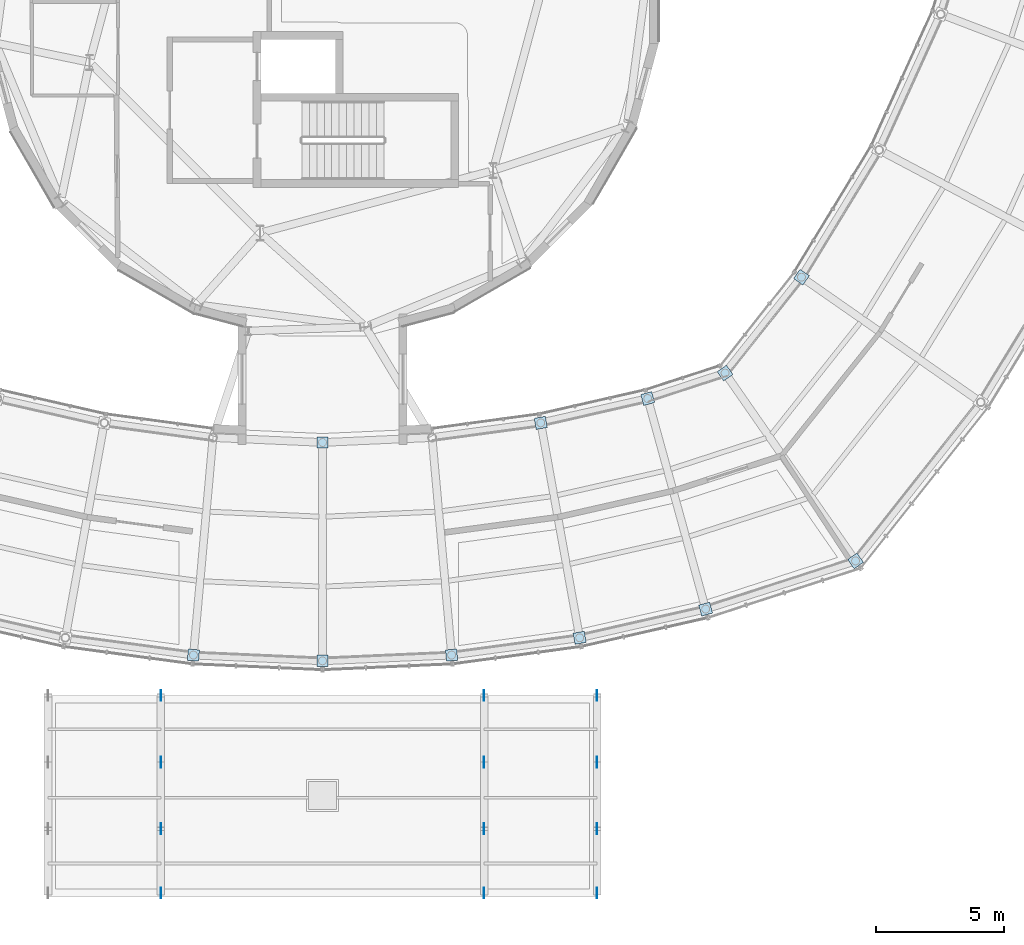
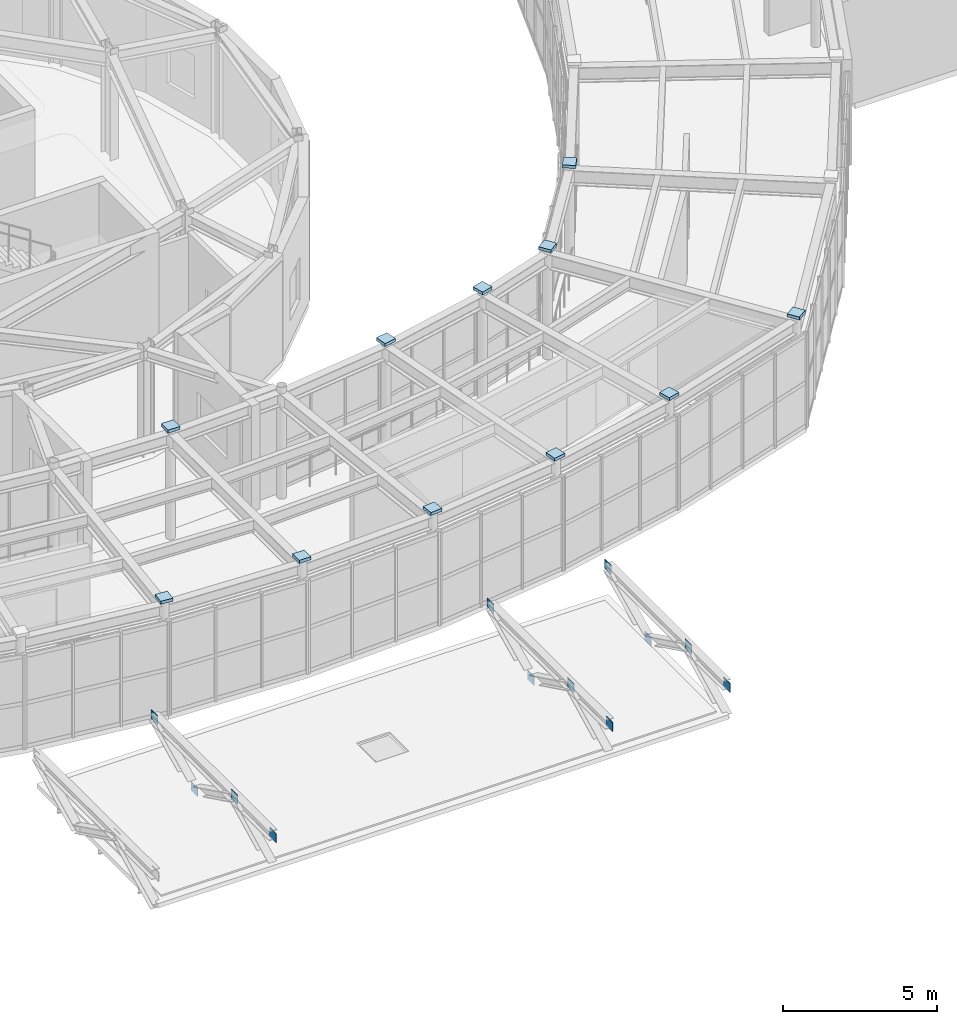
# One storey, part 72 of 103: 23 plates.
"""IFC4 building model written with IfcOpenShell, lengths in metres."""

from ifc_helpers import new_model, si_unit, direction, frame, origin, origin_2d, place, context, subcontext, project, spatial, rectangle, extrude, material, layer, layer_set, type_object, element, save


model = new_model("IFC4")

# Units and contexts
model_context = context("Model", 3, precision=1e-05, world=origin(), true_north=direction((0.0, 1.0)))
body_context = subcontext(model_context, "Body", "Model", "MODEL_VIEW")
ifc_project = project(units=[si_unit("LENGTHUNIT", "METRE"), si_unit("AREAUNIT", "SQUARE_METRE"), si_unit("VOLUMEUNIT", "CUBIC_METRE"), si_unit("PLANEANGLEUNIT", "RADIAN"), si_unit("MASSUNIT", "GRAM", prefix="KILO")], contexts=[model_context])

# Site, building, storey
site_placement = place(None, origin())
site = spatial("IfcSite", under=ifc_project, at=site_placement, CompositionType="ELEMENT")
building_placement = place(site_placement, origin())
building = spatial("IfcBuilding", under=site, at=building_placement, Name="Varnklinge Art Gallery", CompositionType="ELEMENT")
storey_placement = place(building_placement, frame((0.0, 0.0, 5.10009765625)))
storey = spatial("IfcBuildingStorey", under=building, at=storey_placement, Name="L01", CompositionType="ELEMENT", Elevation=5.10009765625)

# Plates
ifc_material_1 = material(Name="Steel S355", Category="steel")
ifc_layer_1 = layer(ifc_material_1, 0.02001953125)
ifc_layer_set_1 = layer_set([ifc_layer_1], Name="Steel S355")
plate_type_1 = type_object("IfcPlateType", Name="PLT-GP1", PredefinedType="USERDEFINED", material=ifc_layer_set_1)
for number, where, z_axis, x_axis, name in (
    (1, (69.199951171875, 11.39990234375, 0.86962890625), (0.0, 0.0, 1.0), (0.0, 1.0, 0.0), "Canopy Truss Node Gusset Plate 2.1"),
    (2, (69.199951171875, 8.800048828125, -0.400390625), (0.0, 0.0, 1.0), (0.0, 1.0, 0.0), "Canopy Truss Node Gusset Plate 2.2"),
    (3, (69.199951171875, 6.199951171875, 0.86962890625), (0.0, 0.0, 1.0), (0.0, 1.0, 0.0), "Canopy Truss Node Gusset Plate 2.3"),
    (4, (69.199951171875, 3.699951171875, 0.86962890625), (0.0, 0.0, 1.0), (0.0, 1.0, 0.0), "Canopy Truss Tip Gusset Plate 2"),
    (5, (81.800048828125, 11.39990234375, 0.86962890625), (0.0, 0.0, 1.0), (0.0, 1.0, 0.0), "Canopy Truss Node Gusset Plate 3.1"),
    (6, (81.800048828125, 8.800048828125, -0.400390625), (0.0, 0.0, 1.0), (0.0, 1.0, 0.0), "Canopy Truss Node Gusset Plate 3.2"),
    (7, (81.800048828125, 6.199951171875, 0.86962890625), (0.0, 0.0, 1.0), (0.0, 1.0, 0.0), "Canopy Truss Node Gusset Plate 3.3"),
    (8, (81.800048828125, 3.699951171875, 0.86962890625), (0.0, 0.0, 1.0), (0.0, 1.0, 0.0), "Canopy Truss Tip Gusset Plate 3"),
    (9, (86.199951171875, 11.39990234375, 0.86962890625), (0.0, 0.0, 1.0), (0.0, 1.0, 0.0), "Canopy Truss Node Gusset Plate 4.1"),
    (10, (86.199951171875, 8.800048828125, -0.400390625), (0.0, 0.0, 1.0), (0.0, 1.0, 0.0), "Canopy Truss Node Gusset Plate 4.2"),
    (11, (86.199951171875, 6.199951171875, 0.86962890625), (0.0, 0.0, 1.0), (0.0, 1.0, 0.0), "Canopy Truss Node Gusset Plate 4.3"),
    (12, (86.199951171875, 3.699951171875, 0.86962890625), (0.0, 0.0, 1.0), (0.0, 1.0, 0.0), "Canopy Truss Tip Gusset Plate 4"),
):
    element("IfcPlate", number, at=place(storey_placement, frame(where, z_axis=z_axis, x_axis=x_axis)), inside=storey, type_object=plate_type_1, Name=name, ObjectType="GUSSET PLATE", PredefinedType="USERDEFINED", context=body_context, shape_type="SweptSolid", body=[
        extrude(rectangle(XDim=0.419921875, YDim=0.02001953125, at=origin_2d()), origin(), (0.0, 0.0, 1.0), 0.360107421875),
    ])
ifc_material_2 = material(Name="Steel S355", Category="steel")
ifc_layer_2 = layer(ifc_material_2, 0.159912109375)
ifc_layer_set_2 = layer_set([ifc_layer_2], Name="Steel S355")
plate_type_2 = type_object("IfcPlateType", Name="PLT-GP2", PredefinedType="USERDEFINED", material=ifc_layer_set_2)
for number, where, z_axis, x_axis, name in (
    (13, (96.27099609375, 16.64013671875, 4.31982421875), (0.0, 0.0, 1.0), (-0.570570241419, 0.821248804935, 0.0), "L01 Hollow Column End Cap Plate V2CO-01"),
    (14, (91.185791015625, 23.958984375, 4.31982421875), (0.0, 0.0, 1.0), (-0.570570241419, 0.821248804935, 0.0), "L01 Hollow Column End Cap Plate V2CI-01"),
    (15, (94.1630859375, 27.6962890625, 4.31982421875), (0.0, 0.0, 1.0), (-0.820351542489, 0.571859551582, 0.0), "L01 Hollow Column End Cap Plate V2CI-02"),
    (16, (70.4697265625, 12.970703125, 4.31982421875), (0.0, 0.0, 1.0), (0.089415810539, 0.995994383933, 0.0), "L01 Hollow Column End Cap Plate V2CO-36"),
    (17, (75.5, 12.745361328125, 4.31982421875), (0.0, 0.0, 1.0), (0.0, 1.0, 0.0), "L01 Hollow Column End Cap Plate V2CO-37"),
    (18, (75.5, 21.254638671875, 4.31982421875), (0.0, 0.0, 1.0), (0.0, 1.0, 0.0), "L01 Hollow Column End Cap Plate V2CI-37"),
    (19, (80.5302734375, 12.970703125, 4.31982421875), (0.0, 0.0, 1.0), (-0.089415810539, 0.995994383933, 0.0), "L01 Hollow Column End Cap Plate V2CO-38"),
    (20, (85.520263671875, 13.64501953125, 4.31982421875), (0.0, 0.0, 1.0), (-0.178115290264, 0.984009625651, 0.0), "L01 Hollow Column End Cap Plate V2CO-39"),
    (21, (84.00439453125, 22.018310546875, 4.31982421875), (0.0, 0.0, 1.0), (-0.178115290264, 0.984009625651, 0.0), "L01 Hollow Column End Cap Plate V2CI-39"),
    (22, (90.4296875, 14.7626953125, 4.31982421875), (0.0, 0.0, 1.0), (-0.265387847052, 0.964141737836, 0.0), "L01 Hollow Column End Cap Plate V2CO-40"),
    (23, (88.17138671875, 22.966796875, 4.31982421875), (0.0, 0.0, 1.0), (-0.265387847052, 0.964141737836, 0.0), "L01 Hollow Column End Cap Plate V2CI-40"),
):
    element("IfcPlate", number, at=place(storey_placement, frame(where, z_axis=z_axis, x_axis=x_axis)), inside=storey, type_object=plate_type_2, Name=name, ObjectType="GUSSET PLATE", PredefinedType="USERDEFINED", context=body_context, shape_type="SweptSolid", body=[
        extrude(rectangle(XDim=0.43994140625, YDim=0.43994140625, at=origin_2d()), origin(), (0.0, 0.0, 1.0), 0.1201171875),
    ])

save(model, "model.ifc")
